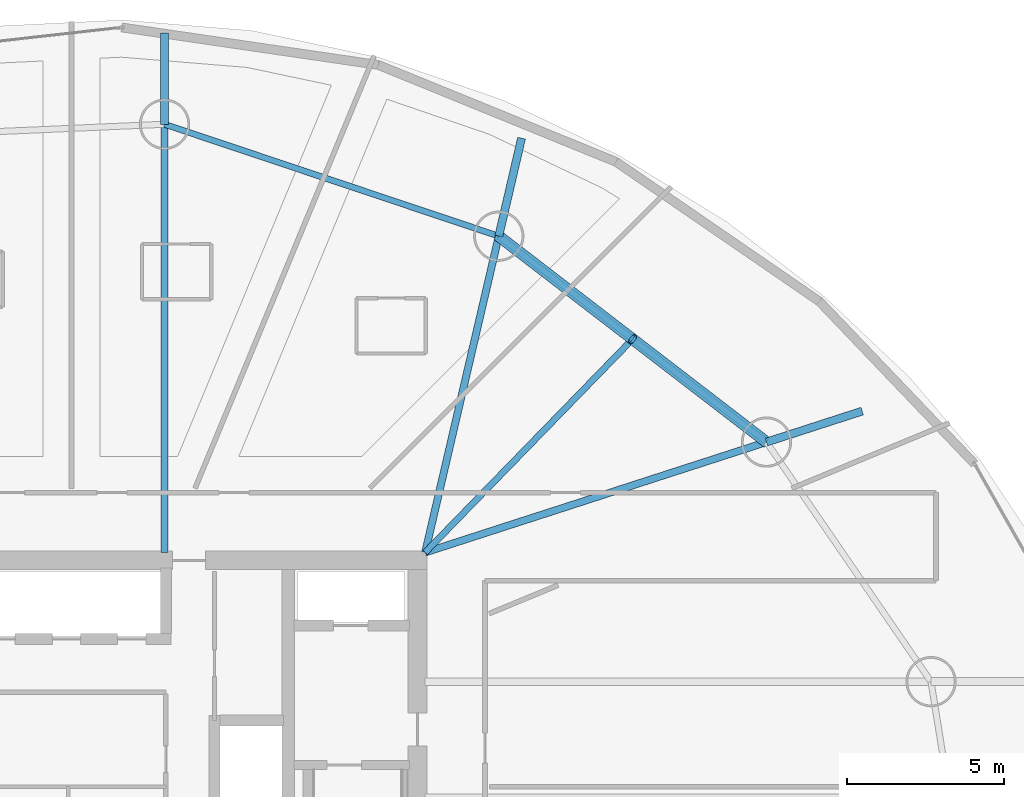
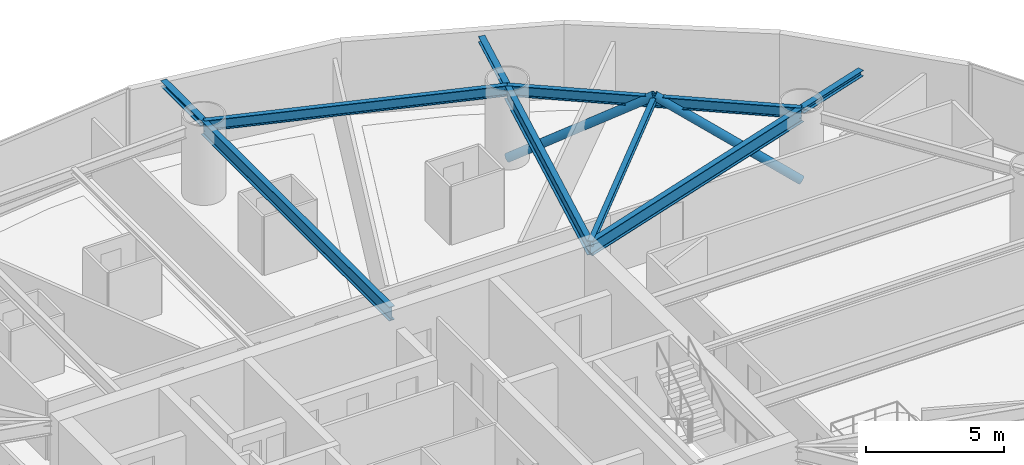
# One storey, part 16 of 27: 9 beams, 2 members.
"""IFC4 building model written with IfcOpenShell, lengths in metres."""

from ifc_helpers import new_model, si_unit, direction, frame, origin, origin_2d, place, context, subcontext, project, spatial, hollow_circle, i_section, extrude, material, material_profile, profile_set, type_object, element, save


model = new_model("IFC4")

# Units and contexts
model_context = context("Model", 3, precision=1e-05, world=origin(), true_north=direction((0.0, 1.0)))
body_context = subcontext(model_context, "Body", "Model", "MODEL_VIEW")
ifc_project = project(units=[si_unit("LENGTHUNIT", "METRE"), si_unit("AREAUNIT", "SQUARE_METRE"), si_unit("VOLUMEUNIT", "CUBIC_METRE"), si_unit("PLANEANGLEUNIT", "RADIAN"), si_unit("MASSUNIT", "GRAM", prefix="KILO")], contexts=[model_context])

# Site, building, storey
site_placement = place(None, origin())
site = spatial("IfcSite", under=ifc_project, at=site_placement, CompositionType="ELEMENT")
building_placement = place(site_placement, origin())
building = spatial("IfcBuilding", under=site, at=building_placement, Name="Bramvorn Convention Spire", CompositionType="ELEMENT")
storey_placement = place(building_placement, frame((0.0, 0.0, 41.39990234375)))
storey = spatial("IfcBuildingStorey", under=building, at=storey_placement, Name="L07", CompositionType="ELEMENT", Elevation=41.39990234375)

# Beams
ifc_material = material(Name="Steel CSA G40.21 Grade 350 (350W)", Category="steel")
ifc_material_profile_1 = material_profile(ifc_material, i_section(OverallWidth=0.201904296875, OverallDepth=0.2470703125, WebThickness=0.00732421875, FlangeThickness=0.010986328125, FilletRadius=0.011962890625, at=origin_2d()))
ifc_profile_set_1 = profile_set([ifc_material_profile_1], Name="Steel CSA G40.21 Grade 350 (350W) - W250X49")
beam_type_1 = type_object("IfcBeamType", Name="BM-W250X49", PredefinedType="JOIST", material=ifc_profile_set_1)
beam_1_placement = place(storey_placement, frame((49.25, 33.449951171875, 3.126708984375), z_axis=(0.697170484005, 0.716905374671, 0.0), x_axis=(-0.716905374671, 0.697170484005, 0.0)))
element("IfcBeam", 1, at=beam_1_placement, inside=storey, type_object=beam_type_1, Name="L07 composite floor joist 03", PredefinedType="JOIST", context=body_context, shape_type="SweptSolid", body=[
    extrude(i_section(OverallWidth=0.201904296875, OverallDepth=0.2470703125, WebThickness=0.00732421875, FlangeThickness=0.010986328125, FilletRadius=0.011962890625, at=origin_2d()), origin(), (0.0, 0.0, 1.0), 9.4638671875),
])
ifc_material_profile_2 = material_profile(ifc_material, i_section(OverallWidth=0.25390625, OverallDepth=0.2529296875, WebThickness=0.008544921875, FlangeThickness=0.01416015625, FilletRadius=0.011962890625, at=origin_2d()))
ifc_profile_set_2 = profile_set([ifc_material_profile_2], Name="Steel CSA G40.21 Grade 350 (350W) - W250X73")
beam_type_2 = type_object("IfcBeamType", Name="BM-W250X73", PredefinedType="BEAM", material=ifc_profile_set_2)
for number, where, z_axis, x_axis, name in (
    (2, (60.105224609375, 36.960205078125, 3.12353515625), (0.951483286173, 0.307700432454, 0.0), (-0.307700432454, 0.951483286173, 0.0), "L07 slab-edge cantilever tip beam MC03"),
    (3, (51.59033203125, 43.509033203125, 3.12353515625), (0.226597657663, 0.973988450415, 0.0), (-0.973988450415, 0.226597657663, 0.0), "L07 slab-edge cantilever tip beam MC04"),
):
    element("IfcBeam", number, at=place(storey_placement, frame(where, z_axis=z_axis, x_axis=x_axis)), inside=storey, type_object=beam_type_2, Name=name, PredefinedType="BEAM", context=body_context, shape_type="SweptSolid", body=[
        extrude(i_section(OverallWidth=0.25390625, OverallDepth=0.2529296875, WebThickness=0.008544921875, FlangeThickness=0.01416015625, FilletRadius=0.011962890625, at=origin_2d()), origin(), (0.0, 0.0, 1.0), 3.199951171875),
    ])
beam_2_placement = place(storey_placement, frame((40.9609375, 47.06884765625, 3.12353515625), z_axis=(0.0, 1.0, 0.0), x_axis=(-1.0, 0.0, 0.0)))
element("IfcBeam", 4, at=beam_2_placement, inside=storey, type_object=beam_type_2, Name="L07 slab-edge cantilever tip beam MC05", PredefinedType="BEAM", context=body_context, shape_type="SweptSolid", body=[
    extrude(i_section(OverallWidth=0.25390625, OverallDepth=0.2529296875, WebThickness=0.008544921875, FlangeThickness=0.01416015625, FilletRadius=0.011962890625, at=origin_2d()), origin(), (0.0, 0.0, 1.0), 2.908203125),
])
ifc_material_profile_3 = material_profile(ifc_material, i_section(OverallWidth=0.194091796875, OverallDepth=0.468994140625, WebThickness=0.0126953125, FlangeThickness=0.0205078125, FilletRadius=0.01806640625, at=origin_2d()))
ifc_profile_set_3 = profile_set([ifc_material_profile_3], Name="Steel CSA G40.21 Grade 350 (350W) - W460X106")
beam_type_3 = type_object("IfcBeamType", Name="BM-W460X106", PredefinedType="SPANDREL", material=ifc_profile_set_3)
beam_3_placement = place(storey_placement, frame((60.105224609375, 36.960205078125, 3.015625), z_axis=(-0.792672990445, 0.609647053809, 0.0), x_axis=(-0.609647053809, -0.792672990445, 0.0)))
element("IfcBeam", 5, at=beam_3_placement, inside=storey, type_object=beam_type_3, Name="L07 mega-column ring beam 03", PredefinedType="SPANDREL", context=body_context, shape_type="SweptSolid", body=[
    extrude(i_section(OverallWidth=0.194091796875, OverallDepth=0.468994140625, WebThickness=0.0126953125, FlangeThickness=0.0205078125, FilletRadius=0.01806640625, at=origin_2d()), origin(), (0.0, 0.0, 1.0), 10.741943359375),
])
beam_4_placement = place(storey_placement, frame((51.59033203125, 43.509033203125, 3.015625), z_axis=(-0.948235872727, 0.317566890078, 0.0), x_axis=(-0.317566890078, -0.948235872727, 0.0)))
element("IfcBeam", 6, at=beam_4_placement, inside=storey, type_object=beam_type_3, Name="L07 mega-column ring beam 04", PredefinedType="SPANDREL", context=body_context, shape_type="SweptSolid", body=[
    extrude(i_section(OverallWidth=0.194091796875, OverallDepth=0.468994140625, WebThickness=0.0126953125, FlangeThickness=0.0205078125, FilletRadius=0.01806640625, at=origin_2d()), origin(), (0.0, 0.0, 1.0), 11.209716796875),
])
ifc_material_profile_4 = material_profile(ifc_material, i_section(OverallWidth=0.22998046875, OverallDepth=0.616943359375, WebThickness=0.01318359375, FlangeThickness=0.022216796875, FilletRadius=0.02001953125, at=origin_2d()))
ifc_profile_set_4 = profile_set([ifc_material_profile_4], Name="Steel CSA G40.21 Grade 350 (350W) - W610X140")
beam_type_4 = type_object("IfcBeamType", Name="BM-W610X140", PredefinedType="BEAM", material=ifc_profile_set_4)
beam_5_placement = place(storey_placement, frame((49.25, 33.449951171875, 2.941650390625), z_axis=(0.951488933275, 0.307682969719, 0.0), x_axis=(-0.307682969719, 0.951488933275, 0.0)))
element("IfcBeam", 7, at=beam_5_placement, inside=storey, type_object=beam_type_4, Name="L07 radial floor girder MC03", PredefinedType="BEAM", context=body_context, shape_type="SweptSolid", body=[
    extrude(i_section(OverallWidth=0.22998046875, OverallDepth=0.616943359375, WebThickness=0.01318359375, FlangeThickness=0.022216796875, FilletRadius=0.02001953125, at=origin_2d()), origin(), (0.0, 0.0, 1.0), 11.40869140625),
])
beam_6_placement = place(storey_placement, frame((49.25, 33.449951171875, 2.941650390625), z_axis=(0.226606328522, 0.973986433106, 0.0), x_axis=(-0.973986433106, 0.226606328522, 0.0)))
element("IfcBeam", 8, at=beam_6_placement, inside=storey, type_object=beam_type_4, Name="L07 radial floor girder MC04", PredefinedType="BEAM", context=body_context, shape_type="SweptSolid", body=[
    extrude(i_section(OverallWidth=0.22998046875, OverallDepth=0.616943359375, WebThickness=0.01318359375, FlangeThickness=0.022216796875, FilletRadius=0.02001953125, at=origin_2d()), origin(), (0.0, 0.0, 1.0), 10.32763671875),
])
beam_7_placement = place(storey_placement, frame((40.9609375, 33.449951171875, 2.941650390625), z_axis=(0.0, 1.0, 0.0), x_axis=(-1.0, 0.0, 0.0)))
element("IfcBeam", 9, at=beam_7_placement, inside=storey, type_object=beam_type_4, Name="L07 radial floor girder MC05", PredefinedType="BEAM", context=body_context, shape_type="SweptSolid", body=[
    extrude(i_section(OverallWidth=0.22998046875, OverallDepth=0.616943359375, WebThickness=0.01318359375, FlangeThickness=0.022216796875, FilletRadius=0.02001953125, at=origin_2d()), origin(), (0.0, 0.0, 1.0), 13.618896484375),
])

# Members
ifc_material_profile_5 = material_profile(ifc_material, hollow_circle(Radius=0.177734375, WallThickness=0.015869140625, at=origin_2d()))
ifc_profile_set_5 = profile_set([ifc_material_profile_5], Name="Steel CSA G40.21 Grade 350 (350W) - CHS356X16")
member_type = type_object("IfcMemberType", Name="MBR-CHS356X16", PredefinedType="BRACE", material=ifc_profile_set_5)
member_1_placement = place(storey_placement, frame((60.105224609375, 36.960205078125, 0.0), z_axis=(-0.67819086212, 0.521583568023, 0.517694635962), x_axis=(-0.609636070784, -0.7926814374, 0.0)))
element("IfcMember", 10, at=member_1_placement, inside=storey, type_object=member_type, Name="L07 perimeter Gothic lancet brace 3A", PredefinedType="BRACE", context=body_context, shape_type="SweptSolid", body=[
    extrude(hollow_circle(Radius=0.177734375, WallThickness=0.015869140625, at=origin_2d()), origin(), (0.0, 0.0, 1.0), 6.27783203125),
])
member_2_placement = place(storey_placement, frame((51.59033203125, 43.509033203125, 0.0), z_axis=(0.678169858834, -0.521597324617, 0.517708289987), x_axis=(0.609658037113, 0.792664543034, 0.0)))
element("IfcMember", 11, at=member_2_placement, inside=storey, type_object=member_type, Name="L07 perimeter Gothic lancet brace 3B", PredefinedType="BRACE", context=body_context, shape_type="SweptSolid", body=[
    extrude(hollow_circle(Radius=0.177734375, WallThickness=0.015869140625, at=origin_2d()), origin(), (0.0, 0.0, 1.0), 6.277587890625),
])

save(model, "model.ifc")
